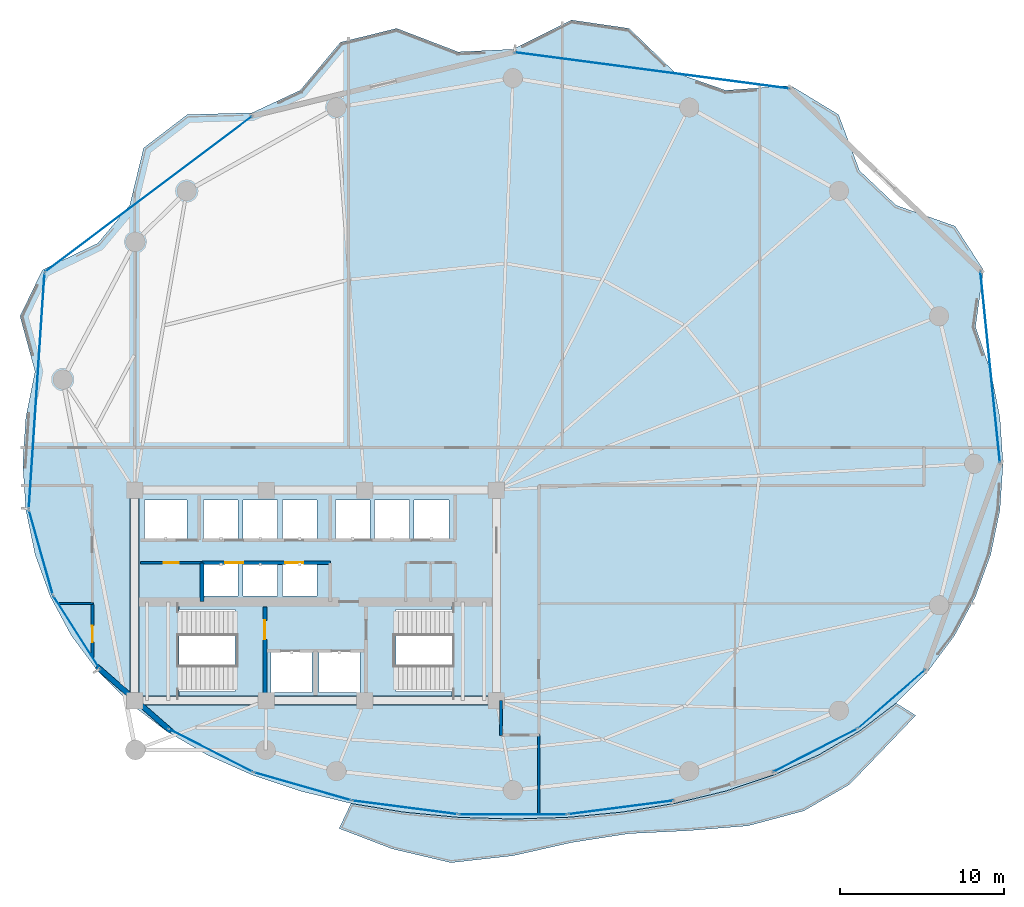
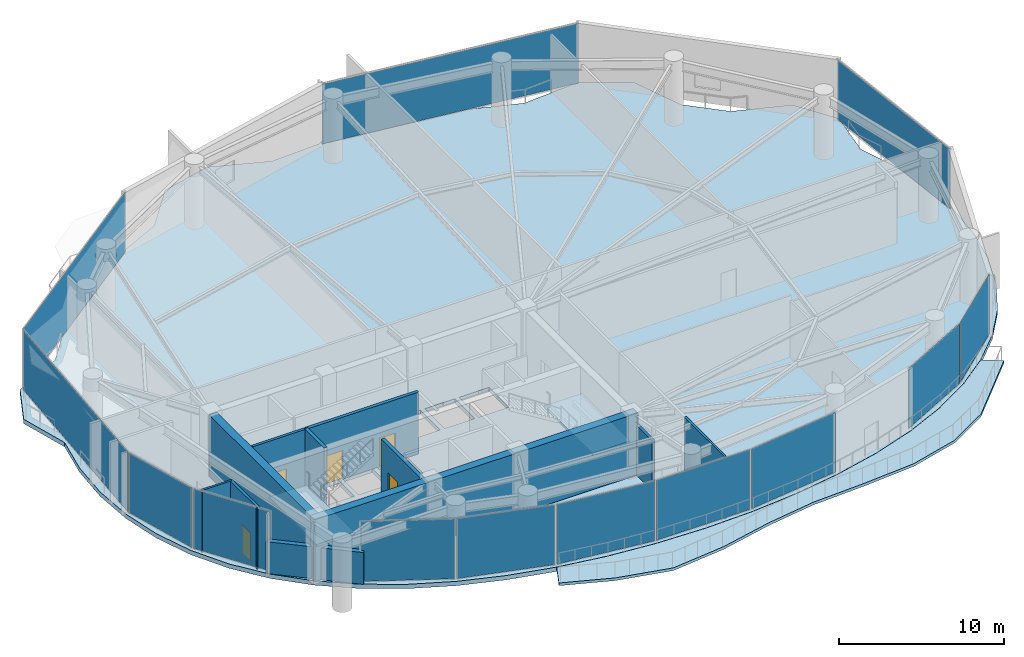
# One storey, part 24 of 30: 13 plates, 11 walls, 5 doors, 4 slabs, 5 openings, 15 elements without a shape of their own.
"""IFC4 building model written with IfcOpenShell, lengths in metres."""

from ifc_helpers import new_model, si_unit, direction, frame, frame_2d, origin, origin_2d, place, context, subcontext, project, spatial, polyline, rectangle, outline, extrude, material, layer, layer_set, type_object, element, fill, aggregate, save


model = new_model("IFC4")

# Units and contexts
model_context = context("Model", 3, precision=1e-05, world=origin(), true_north=direction((0.0, 1.0)))
body_context = subcontext(model_context, "Body", "Model", "MODEL_VIEW")
ifc_project = project(units=[si_unit("LENGTHUNIT", "METRE"), si_unit("AREAUNIT", "SQUARE_METRE"), si_unit("VOLUMEUNIT", "CUBIC_METRE"), si_unit("PLANEANGLEUNIT", "RADIAN"), si_unit("MASSUNIT", "GRAM", prefix="KILO")], contexts=[model_context])

# Site, building, storey
site_placement = place(None, origin())
site = spatial("IfcSite", under=ifc_project, at=site_placement, CompositionType="ELEMENT")
building_placement = place(site_placement, origin())
building = spatial("IfcBuilding", under=site, at=building_placement, Name="Kazevale Care Tower and Concert Hall", CompositionType="ELEMENT")
storey_placement = place(building_placement, frame((0.0, 0.0, 97.800048828125)))
storey = spatial("IfcBuildingStorey", under=building, at=storey_placement, Name="L25", CompositionType="ELEMENT", Elevation=97.800048828125)

# Curtain wall, plate
ifc_material_1 = material(Name="Aluminium 6063-T6 and Low-E Glass", Category="aluminium")
ifc_layer_1 = layer(ifc_material_1, 0.179931640625)
ifc_layer_set_1 = layer_set([ifc_layer_1], Name="Aluminium 6063-T6 and Low-E Glass")
curtain_wall_type_1 = type_object("IfcCurtainWallType", Name="Convex Recessed Sunroom Curtain Wall CW-3", PredefinedType="NOTDEFINED", material=ifc_layer_set_1)
curtain_wall_1_placement = place(storey_placement, origin())
curtain_wall_1 = element("IfcCurtainWall", 1, at=curtain_wall_1_placement, inside=storey, type_object=curtain_wall_type_1, Name="cw:L25:f14", PredefinedType="NOTDEFINED")
ifc_material_2 = material(Name="Low-E Laminated Glass", Category="glass")
ifc_layer_2 = layer(ifc_material_2, 0.028076171875)
ifc_layer_set_2 = layer_set([ifc_layer_2], Name="Low-E Laminated Glass")
plate_type_1 = type_object("IfcPlateType", Name="CW-3 Low-E Glazing Panel 28mm", PredefinedType="CURTAIN_PANEL", material=ifc_layer_set_2)
plate_1_placement = place(storey_placement, frame((22.8583984375, 54.402099609375, 0.0751953125), z_axis=(0.0, 0.0, 1.0), x_axis=(0.799400950952, 0.600797902474, 0.0)))
plate_1 = element("IfcPlate", 2, at=plate_1_placement, type_object=plate_type_1, Name="CW-3 panel 1.1", PredefinedType="CURTAIN_PANEL", context=body_context, shape_type="SweptSolid", body=[
    extrude(rectangle(XDim=15.685546875, YDim=0.028076171875, at=origin_2d()), origin(), (0.0, 0.0, 1.0), 4.409912109375),
])
aggregate(curtain_wall_1, [plate_1])

curtain_wall_2_placement = place(storey_placement, origin())
curtain_wall_2 = element("IfcCurtainWall", 3, at=curtain_wall_2_placement, inside=storey, type_object=curtain_wall_type_1, Name="cw:L25:f16", PredefinedType="NOTDEFINED")
plate_2_placement = place(storey_placement, frame((53.447509765625, 61.91357421875, 0.0751953125), z_axis=(0.0, 0.0, 1.0), x_axis=(0.991405823257, -0.130822374277, 0.0)))
plate_2 = element("IfcPlate", 4, at=plate_2_placement, type_object=plate_type_1, Name="CW-3 panel 1.1", PredefinedType="CURTAIN_PANEL", context=body_context, shape_type="SweptSolid", body=[
    extrude(rectangle(XDim=16.796630859375, YDim=0.028076171875, at=origin_2d()), origin(), (0.0, 0.0, 1.0), 4.409912109375),
])
aggregate(curtain_wall_2, [plate_2])

ifc_layer_3 = layer(ifc_material_1, 0.179931640625)
ifc_layer_set_3 = layer_set([ifc_layer_3], Name="Aluminium 6063-T6 and Low-E Glass")
curtain_wall_type_2 = type_object("IfcCurtainWallType", Name="Waist & Upper Residential Curtain Wall CW-4", PredefinedType="NOTDEFINED", material=ifc_layer_set_3)
curtain_wall_3_placement = place(storey_placement, origin())
curtain_wall_3 = element("IfcCurtainWall", 5, at=curtain_wall_3_placement, inside=storey, type_object=curtain_wall_type_2, Name="cw:L25:f11", PredefinedType="NOTDEFINED")
ifc_layer_4 = layer(ifc_material_2, 0.030029296875)
ifc_layer_set_4 = layer_set([ifc_layer_4], Name="Low-E Laminated Glass")
plate_type_2 = type_object("IfcPlateType", Name="CW-4 Low-E Glazing Panel 30mm", PredefinedType="CURTAIN_PANEL", material=ifc_layer_set_4)
plate_3_placement = place(storey_placement, frame((18.470458984375, 27.75244140625, 0.080078125), z_axis=(0.0, 0.0, 1.0), x_axis=(-0.537239193981, 0.843429930967, 0.0)))
plate_3 = element("IfcPlate", 6, at=plate_3_placement, type_object=plate_type_2, Name="CW-4 panel 1.1", PredefinedType="CURTAIN_PANEL", context=body_context, shape_type="SweptSolid", body=[
    extrude(rectangle(XDim=5.176513671875, YDim=0.030029296875, at=origin_2d()), origin(), (0.0, 0.0, 1.0), 4.39990234375),
])
aggregate(curtain_wall_3, [plate_3])

curtain_wall_4_placement = place(storey_placement, origin())
curtain_wall_4 = element("IfcCurtainWall", 7, at=curtain_wall_4_placement, inside=storey, type_object=curtain_wall_type_2, Name="cw:L25:f12", PredefinedType="NOTDEFINED")
plate_4_placement = place(storey_placement, frame((16.301513671875, 32.612548828125, 0.080078125), z_axis=(0.0, 0.0, 1.0), x_axis=(-0.271284948278, 0.962499078876, 0.0)))
plate_4 = element("IfcPlate", 8, at=plate_4_placement, type_object=plate_type_2, Name="CW-4 panel 1.1", PredefinedType="CURTAIN_PANEL", context=body_context, shape_type="SweptSolid", body=[
    extrude(rectangle(XDim=5.262451171875, YDim=0.030029296875, at=origin_2d()), origin(), (0.0, 0.0, 1.0), 4.39990234375),
])
aggregate(curtain_wall_4, [plate_4])

curtain_wall_5_placement = place(storey_placement, origin())
curtain_wall_5 = element("IfcCurtainWall", 9, at=curtain_wall_5_placement, inside=storey, type_object=curtain_wall_type_2, Name="cw:L25:f13", PredefinedType="NOTDEFINED")
plate_5_placement = place(storey_placement, frame((16.047607421875, 42.43359375, 0.080078125), z_axis=(0.0, 0.0, 1.0), x_axis=(0.06662002475, 0.997778418439, 0.0)))
plate_5 = element("IfcPlate", 10, at=plate_5_placement, type_object=plate_type_2, Name="CW-4 panel 1.1", PredefinedType="CURTAIN_PANEL", context=body_context, shape_type="SweptSolid", body=[
    extrude(rectangle(XDim=14.295166015625, YDim=0.030029296875, at=origin_2d()), origin(), (0.0, 0.0, 1.0), 4.39990234375),
])
aggregate(curtain_wall_5, [plate_5])

curtain_wall_6_placement = place(storey_placement, origin())
curtain_wall_6 = element("IfcCurtainWall", 11, at=curtain_wall_6_placement, inside=storey, type_object=curtain_wall_type_2, Name="cw:L25:f18", PredefinedType="NOTDEFINED")
plate_6_placement = place(storey_placement, frame((74.01904296875, 43.868896484375, 0.080078125), z_axis=(0.0, 0.0, 1.0), x_axis=(0.101869730126, -0.994797747326, 0.0)))
plate_6 = element("IfcPlate", 12, at=plate_6_placement, type_object=plate_type_2, Name="CW-4 panel 1.1", PredefinedType="CURTAIN_PANEL", context=body_context, shape_type="SweptSolid", body=[
    extrude(rectangle(XDim=11.639404296875, YDim=0.030029296875, at=origin_2d()), origin(), (0.0, 0.0, 1.0), 4.39990234375),
])
aggregate(curtain_wall_6, [plate_6])

ifc_layer_5 = layer(ifc_material_1, 0.179931640625)
ifc_layer_set_5 = layer_set([ifc_layer_5], Name="Aluminium 6063-T6 and Low-E Glass")
curtain_wall_type_3 = type_object("IfcCurtainWallType", Name="Sheltered Concave Balcony Curtain Wall CW-5", PredefinedType="NOTDEFINED", material=ifc_layer_set_5)
curtain_wall_7_placement = place(storey_placement, origin())
curtain_wall_7 = element("IfcCurtainWall", 13, at=curtain_wall_7_placement, inside=storey, type_object=curtain_wall_type_3, Name="cw:L25:f02", PredefinedType="NOTDEFINED")
ifc_layer_6 = layer(ifc_material_2, 0.02587890625)
ifc_layer_set_6 = layer_set([ifc_layer_6], Name="Low-E Laminated Glass")
plate_type_3 = type_object("IfcPlateType", Name="CW-5 Low-E Glazing Panel 26mm", PredefinedType="CURTAIN_PANEL", material=ifc_layer_set_6)
plate_7_placement = place(storey_placement, frame((68.033447265625, 23.699951171875, 0.0751953125), z_axis=(0.0, 0.0, 1.0), x_axis=(-0.753062779437, -0.657948668382, 0.0)))
plate_7 = element("IfcPlate", 14, at=plate_7_placement, type_object=plate_type_3, Name="CW-5 panel 1.1", PredefinedType="CURTAIN_PANEL", context=body_context, shape_type="SweptSolid", body=[
    extrude(rectangle(XDim=5.32763671875, YDim=0.02587890625, at=origin_2d()), origin(), (0.0, 0.0, 1.0), 4.409912109375),
])
aggregate(curtain_wall_7, [plate_7])

curtain_wall_8_placement = place(storey_placement, origin())
curtain_wall_8 = element("IfcCurtainWall", 15, at=curtain_wall_8_placement, inside=storey, type_object=curtain_wall_type_3, Name="cw:L25:f03", PredefinedType="NOTDEFINED")
plate_8_placement = place(storey_placement, frame((63.3798828125, 20.571533203125, 0.0751953125), z_axis=(0.0, 0.0, 1.0), x_axis=(-0.890126646051, -0.455713236575, 0.0)))
plate_8 = element("IfcPlate", 16, at=plate_8_placement, type_object=plate_type_3, Name="CW-5 panel 1.1", PredefinedType="CURTAIN_PANEL", context=body_context, shape_type="SweptSolid", body=[
    extrude(rectangle(XDim=5.671630859375, YDim=0.02587890625, at=origin_2d()), origin(), (0.0, 0.0, 1.0), 4.409912109375),
])
aggregate(curtain_wall_8, [plate_8])

curtain_wall_9_placement = place(storey_placement, origin())
curtain_wall_9 = element("IfcCurtainWall", 17, at=curtain_wall_9_placement, inside=storey, type_object=curtain_wall_type_3, Name="cw:L25:f05", PredefinedType="NOTDEFINED")
plate_9_placement = place(storey_placement, frame((51.5654296875, 17.1044921875, 0.0751953125), z_axis=(0.0, 0.0, 1.0), x_axis=(-0.991685519364, -0.12868500567, 0.0)))
plate_9 = element("IfcPlate", 18, at=plate_9_placement, type_object=plate_type_3, Name="CW-5 panel 1.1", PredefinedType="CURTAIN_PANEL", context=body_context, shape_type="SweptSolid", body=[
    extrude(rectangle(XDim=6.38525390625, YDim=0.02587890625, at=origin_2d()), origin(), (0.0, 0.0, 1.0), 4.409912109375),
])
aggregate(curtain_wall_9, [plate_9])

curtain_wall_10_placement = place(storey_placement, origin())
curtain_wall_10 = element("IfcCurtainWall", 19, at=curtain_wall_10_placement, inside=storey, type_object=curtain_wall_type_3, Name="cw:L25:f06", PredefinedType="NOTDEFINED")
plate_10_placement = place(storey_placement, frame((45.0, 16.68408203125, 0.0751953125), z_axis=(0.0, 0.0, 1.0), x_axis=(-1.0, 0.0, 0.0)))
plate_10 = element("IfcPlate", 20, at=plate_10_placement, type_object=plate_type_3, Name="CW-5 panel 1.1", PredefinedType="CURTAIN_PANEL", context=body_context, shape_type="SweptSolid", body=[
    extrude(rectangle(XDim=6.5, YDim=0.02587890625, at=origin_2d()), origin(), (0.0, 0.0, 1.0), 4.409912109375),
])
aggregate(curtain_wall_10, [plate_10])

curtain_wall_11_placement = place(storey_placement, origin())
curtain_wall_11 = element("IfcCurtainWall", 21, at=curtain_wall_11_placement, inside=storey, type_object=curtain_wall_type_3, Name="cw:L25:f07", PredefinedType="NOTDEFINED")
plate_11_placement = place(storey_placement, frame((38.4345703125, 17.1044921875, 0.0751953125), z_axis=(0.0, 0.0, 1.0), x_axis=(-0.991685519364, 0.12868500567, 0.0)))
plate_11 = element("IfcPlate", 22, at=plate_11_placement, type_object=plate_type_3, Name="CW-5 panel 1.1", PredefinedType="CURTAIN_PANEL", context=body_context, shape_type="SweptSolid", body=[
    extrude(rectangle(XDim=6.38525390625, YDim=0.02587890625, at=origin_2d()), origin(), (0.0, 0.0, 1.0), 4.409912109375),
])
aggregate(curtain_wall_11, [plate_11])

curtain_wall_12_placement = place(storey_placement, origin())
curtain_wall_12 = element("IfcCurtainWall", 23, at=curtain_wall_12_placement, inside=storey, type_object=curtain_wall_type_3, Name="cw:L25:f08", PredefinedType="NOTDEFINED")
plate_12_placement = place(storey_placement, frame((32.202392578125, 18.385009765625, 0.0751953125), z_axis=(0.0, 0.0, 1.0), x_axis=(-0.961074102639, 0.276290733172, 0.0)))
plate_12 = element("IfcPlate", 24, at=plate_12_placement, type_object=plate_type_3, Name="CW-5 panel 1.1", PredefinedType="CURTAIN_PANEL", context=body_context, shape_type="SweptSolid", body=[
    extrude(rectangle(XDim=6.075439453125, YDim=0.02587890625, at=origin_2d()), origin(), (0.0, 0.0, 1.0), 4.409912109375),
])
aggregate(curtain_wall_12, [plate_12])

curtain_wall_13_placement = place(storey_placement, origin())
curtain_wall_13 = element("IfcCurtainWall", 25, at=curtain_wall_13_placement, inside=storey, type_object=curtain_wall_type_3, Name="cw:L25:f09", PredefinedType="NOTDEFINED")
plate_13_placement = place(storey_placement, frame((26.6201171875, 20.571533203125, 0.0751953125), z_axis=(0.0, 0.0, 1.0), x_axis=(-0.890126646051, 0.455713236575, 0.0)))
plate_13 = element("IfcPlate", 26, at=plate_13_placement, type_object=plate_type_3, Name="CW-5 panel 1.1", PredefinedType="CURTAIN_PANEL", context=body_context, shape_type="SweptSolid", body=[
    extrude(rectangle(XDim=5.671630859375, YDim=0.02587890625, at=origin_2d()), origin(), (0.0, 0.0, 1.0), 4.409912109375),
])
aggregate(curtain_wall_13, [plate_13])

# Slab
ifc_material_3 = material(Name="Concrete C40", Category="concrete")
ifc_layer_7 = layer(ifc_material_3, 0.199951171875)
ifc_layer_set_7 = layer_set([ifc_layer_7], Name="Concrete C40")
slab_type_1 = type_object("IfcSlabType", Name="Sinusoidal Concave Balcony Slab 200", PredefinedType="USERDEFINED", material=ifc_layer_set_7)
slab_1_placement = place(storey_placement, frame((0.0, 0.0, -0.199951171875)))
element("IfcSlab", 27, at=slab_1_placement, inside=storey, type_object=slab_type_1, Name="slab:L25:bal", ObjectType="BALCONY", PredefinedType="USERDEFINED", context=body_context, shape_type="SweptSolid", body=[
    extrude(outline(polyline([(69.493896484375, 22.69970703125), (67.515380859375, 20.634521484375), (65.46337890625, 18.4970703125), (62.68408203125, 16.893798828125), (59.302001953125, 15.986083984375), (55.6328125, 15.689453125), (52.040771484375, 15.51025390625), (48.574462890625, 14.97119140625), (45.0, 14.16650390625), (41.235107421875, 13.74462890625), (37.668701171875, 14.58251953125), (34.431640625, 15.824951171875), (35.155517578125, 17.343505859375), (35.15673828125, 17.34326171875), (38.368408203125, 16.81396484375), (41.6630859375, 16.49951171875), (45.0, 16.39501953125), (48.3369140625, 16.49951171875), (51.631591796875, 16.81396484375), (54.84326171875, 17.34326171875), (57.93115234375, 18.09375), (60.8564453125, 19.07275390625), (63.582275390625, 20.28759765625), (66.07470703125, 21.74365234375), (68.302001953125, 23.442626953125), (68.302978515625, 23.44384765625), (69.493896484375, 22.69970703125)])), origin(), (0.0, 0.0, 1.0), 0.199951171875),
])

# Stair, slab
stair_type = type_object("IfcStairType", Name="Exit Stair Assembly ST1-S", PredefinedType="HALF_TURN_STAIR", material=ifc_material_3)
stair_1_placement = place(storey_placement, origin())
stair_1 = element("IfcStair", 28, at=stair_1_placement, inside=storey, type_object=stair_type, Name="stair:L25:ST1", PredefinedType="HALF_TURN_STAIR")
ifc_layer_8 = layer(ifc_material_3, 0.199951171875)
ifc_layer_set_8 = layer_set([ifc_layer_8], Name="Concrete C40")
slab_type_2 = type_object("IfcSlabType", Name="Stair Half-Landing Slab ST1-S", PredefinedType="LANDING", material=ifc_layer_set_8)
slab_2_placement = place(storey_placement, frame((0.0, 0.0, 2.199951171875)))
slab_2 = element("IfcSlab", 29, at=slab_2_placement, type_object=slab_type_2, Name="ST1-S landing 1", PredefinedType="LANDING", context=body_context, shape_type="SweptSolid", body=[
    extrude(outline(polyline([(22.050048828125, 23.699951171875), (24.68994140625, 23.699951171875), (24.68994140625, 29.5), (22.050048828125, 29.5), (22.050048828125, 23.699951171875)])), origin(), (0.0, 0.0, 1.0), 0.199951171875),
])
aggregate(stair_1, [slab_2])

stair_2_placement = place(storey_placement, origin())
stair_2 = element("IfcStair", 30, at=stair_2_placement, inside=storey, type_object=stair_type, Name="stair:L25:ST2", PredefinedType="HALF_TURN_STAIR")
slab_3_placement = place(storey_placement, frame((0.0, 0.0, 2.199951171875)))
slab_3 = element("IfcSlab", 31, at=slab_3_placement, type_object=slab_type_2, Name="ST1-S landing 1", PredefinedType="LANDING", context=body_context, shape_type="SweptSolid", body=[
    extrude(outline(polyline([(41.31005859375, 23.699951171875), (43.949951171875, 23.699951171875), (43.949951171875, 29.5), (41.31005859375, 29.5), (41.31005859375, 23.699951171875)])), origin(), (0.0, 0.0, 1.0), 0.199951171875),
])
aggregate(stair_2, [slab_3])

# Slab
ifc_material_4 = material(Name="Concrete C50", Category="concrete")
ifc_layer_9 = layer(ifc_material_4, 0.320068359375)
ifc_layer_set_9 = layer_set([ifc_layer_9], Name="Concrete C50")
slab_type_3 = type_object("IfcSlabType", Name="Transfer & Refuge Floor Slab 320", PredefinedType="FLOOR", material=ifc_layer_set_9)
slab_4_placement = place(storey_placement, frame((0.0, 0.0, -0.320068359375)))
element("IfcSlab", 32, at=slab_4_placement, inside=storey, type_object=slab_type_3, Name="slab:L25:tw:1", PredefinedType="FLOOR", context=body_context, shape_type="SweptSolid", body=[
    extrude(outline(polyline([(74.800048828125, 38.0), (74.612548828125, 40.821533203125), (74.052978515625, 43.607421875), (73.127685546875, 46.322998046875), (73.605712890625, 49.77978515625), (71.883544921875, 52.444580078125), (68.298583984375, 53.7119140625), (66.07177734375, 55.819091796875), (64.7958984375, 59.226806640625), (61.89208984375, 60.988525390625), (57.9296875, 60.704345703125), (54.84228515625, 61.785888671875), (52.06494140625, 64.46923828125), (48.554931640625, 64.979248046875), (45.0, 63.199951171875), (41.66357421875, 63.04150390625), (37.93505859375, 64.46923828125), (34.513671875, 63.62646484375), (32.0703125, 60.704345703125), (29.1455078125, 59.33740234375), (25.2041015625, 59.226806640625), (22.54931640625, 57.197998046875), (21.701416015625, 53.7119140625), (19.767578125, 51.4072265625), (16.394287109375, 49.77978515625), (15.03173828125, 46.967041015625), (15.947021484375, 43.607421875), (15.387451171875, 40.821533203125), (15.199951171875, 38.0), (15.387451171875, 35.197265625), (15.947021484375, 32.490234375), (16.872314453125, 29.92919921875), (18.151123046875, 27.551513671875), (19.767578125, 25.384521484375), (21.701416015625, 23.446533203125), (23.92822265625, 21.747802734375), (26.419921875, 20.2919921875), (29.1455078125, 19.077392578125), (32.0703125, 18.098388671875), (35.15771484375, 17.34814453125), (38.368896484375, 16.819091796875), (41.66357421875, 16.50439453125), (45.0, 16.39990234375), (48.33642578125, 16.50439453125), (51.631103515625, 16.819091796875), (54.84228515625, 17.34814453125), (57.9296875, 18.098388671875), (60.8544921875, 19.077392578125), (63.580078125, 20.2919921875), (66.07177734375, 21.747802734375), (68.298583984375, 23.446533203125), (70.232421875, 25.384521484375), (71.848876953125, 27.551513671875), (73.127685546875, 29.92919921875), (74.052978515625, 32.490234375), (74.612548828125, 35.197265625), (74.800048828125, 38.0)]), holes=[polyline([(22.449951171875, 24.14990234375), (28.110107421875, 24.14990234375), (28.110107421875, 29.14990234375), (22.449951171875, 29.14990234375), (22.449951171875, 24.14990234375)]), polyline([(37.889892578125, 24.14990234375), (43.550048828125, 24.14990234375), (43.550048828125, 29.14990234375), (37.889892578125, 29.14990234375), (37.889892578125, 24.14990234375)]), polyline([(30.300048828125, 24.10009765625), (32.800048828125, 24.10009765625), (32.800048828125, 26.60009765625), (30.300048828125, 26.60009765625), (30.300048828125, 24.10009765625)]), polyline([(33.199951171875, 24.10009765625), (35.699951171875, 24.10009765625), (35.699951171875, 26.60009765625), (33.199951171875, 26.60009765625), (33.199951171875, 24.10009765625)]), polyline([(22.60009765625, 33.39990234375), (25.199951171875, 33.39990234375), (25.199951171875, 35.800048828125), (22.60009765625, 35.800048828125), (22.60009765625, 33.39990234375)]), polyline([(26.199951171875, 33.39990234375), (28.300048828125, 33.39990234375), (28.300048828125, 35.800048828125), (26.199951171875, 35.800048828125), (26.199951171875, 33.39990234375)]), polyline([(28.60009765625, 33.39990234375), (30.699951171875, 33.39990234375), (30.699951171875, 35.800048828125), (28.60009765625, 35.800048828125), (28.60009765625, 33.39990234375)]), polyline([(31.0, 33.39990234375), (33.10009765625, 33.39990234375), (33.10009765625, 35.800048828125), (31.0, 35.800048828125), (31.0, 33.39990234375)]), polyline([(34.199951171875, 33.39990234375), (36.300048828125, 33.39990234375), (36.300048828125, 35.800048828125), (34.199951171875, 35.800048828125), (34.199951171875, 33.39990234375)]), polyline([(36.60009765625, 33.39990234375), (38.699951171875, 33.39990234375), (38.699951171875, 35.800048828125), (36.60009765625, 35.800048828125), (36.60009765625, 33.39990234375)]), polyline([(39.0, 33.39990234375), (41.10009765625, 33.39990234375), (41.10009765625, 35.800048828125), (39.0, 35.800048828125), (39.0, 33.39990234375)]), polyline([(26.199951171875, 29.949951171875), (28.300048828125, 29.949951171875), (28.300048828125, 31.949951171875), (26.199951171875, 31.949951171875), (26.199951171875, 29.949951171875)]), polyline([(28.60009765625, 29.949951171875), (30.699951171875, 29.949951171875), (30.699951171875, 31.949951171875), (28.60009765625, 31.949951171875), (28.60009765625, 29.949951171875)]), polyline([(31.0, 29.949951171875), (33.10009765625, 29.949951171875), (33.10009765625, 31.949951171875), (31.0, 31.949951171875), (31.0, 29.949951171875)])]), origin(), (0.0, 0.0, 1.0), 0.320068359375),
])

# Walls
ifc_material_5 = material(Name="Acoustic Gypsum on Steel Stud", Category="steel")
ifc_layer_10 = layer(ifc_material_5, 0.139892578125)
ifc_layer_set_10 = layer_set([ifc_layer_10], Name="Acoustic Gypsum on Steel Stud")
wall_type_1 = type_object("IfcWallType", Name="Acoustic Care & Suite Partition 140", PredefinedType="PARTITIONING", material=ifc_layer_set_10)
wall_1_placement = place(storey_placement, frame((46.574951171875, 16.694091796875, 0.0), z_axis=(0.0, 0.0, 1.0), x_axis=(0.0, 1.0, 0.0)))
element("IfcWall", 33, at=wall_1_placement, inside=storey, type_object=wall_type_1, Name="wall:L25:auto_022", PredefinedType="PARTITIONING", context=body_context, shape_type="SweptSolid", body=[
    extrude(rectangle(XDim=4.870849609375, YDim=0.139892578125, at=frame_2d((2.435546875, 0.0))), origin(), (0.0, 0.0, 1.0), 4.56005859375),
])
wall_2_placement = place(storey_placement, frame((19.455078125, 29.5, 0.0), z_axis=(0.0, 0.0, 1.0), x_axis=(-1.0, 0.0, 0.0)))
element("IfcWall", 34, at=wall_2_placement, inside=storey, type_object=wall_type_1, Name="wall:L25:auto_024", PredefinedType="PARTITIONING", context=body_context, shape_type="SweptSolid", body=[
    extrude(rectangle(XDim=2.087646484375, YDim=0.139892578125, at=frame_2d((1.0439453125, 0.0))), origin(), (0.0, 0.0, 1.0), 4.56005859375),
])
ifc_material_6 = material(Name="Concrete C60", Category="concrete")
ifc_layer_11 = layer(ifc_material_6, 0.550048828125)
ifc_layer_set_11 = layer_set([ifc_layer_11], Name="Concrete C60")
wall_type_2 = type_object("IfcWallType", Name="Core Shear Wall 550 C60", PredefinedType="SHEAR", material=ifc_layer_set_11)
wall_3_placement = place(storey_placement, frame((21.72509765625, 23.60009765625, 0.0), z_axis=(0.0, 0.0, 1.0), x_axis=(1.0, 0.0, 0.0)))
element("IfcWall", 35, at=wall_3_placement, inside=storey, type_object=wall_type_2, Name="wall:L25:core:S", PredefinedType="SHEAR", context=body_context, shape_type="SweptSolid", body=[
    extrude(rectangle(XDim=22.5498046875, YDim=0.550048828125, at=frame_2d((11.27490234375, 0.0))), origin(), (0.0, 0.0, 1.0), 4.56005859375),
])
wall_4_placement = place(storey_placement, frame((22.0, 23.875, 0.0), z_axis=(0.0, 0.0, 1.0), x_axis=(0.0, 1.0, 0.0)))
element("IfcWall", 36, at=wall_4_placement, inside=storey, type_object=wall_type_2, Name="wall:L25:core:W", PredefinedType="SHEAR", context=body_context, shape_type="SweptSolid", body=[
    extrude(rectangle(XDim=12.25, YDim=0.550048828125, at=frame_2d((6.125, 0.0))), origin(), (0.0, 0.0, 1.0), 4.56005859375),
])
ifc_layer_12 = layer(ifc_material_3, 0.219970703125)
ifc_layer_set_12 = layer_set([ifc_layer_12], Name="Concrete C40")
wall_type_3 = type_object("IfcWallType", Name="Elevator Hoistway Shaft Wall 220", PredefinedType="SOLIDWALL", material=ifc_layer_set_12)
wall_5_placement = place(storey_placement, frame((26.10009765625, 29.6201171875, 0.0), z_axis=(0.0, 0.0, 1.0), x_axis=(0.0, 1.0, 0.0)))
element("IfcWall", 37, at=wall_5_placement, inside=storey, type_object=wall_type_3, Name="wall:L25:c_ph_w", PredefinedType="SOLIDWALL", context=body_context, shape_type="SweptSolid", body=[
    extrude(rectangle(XDim=2.35986328125, YDim=0.219970703125, at=frame_2d((1.179931640625, 0.0))), origin(), (0.0, 0.0, 1.0), 4.56005859375),
])

# Wall, openings, doors
wall_6_placement = place(storey_placement, frame((26.10009765625, 31.97998046875, 0.0), z_axis=(0.0, 0.0, 1.0), x_axis=(1.0, 0.0, 0.0)))
wall_6 = element("IfcWall", 38, at=wall_6_placement, inside=storey, type_object=wall_type_3, Name="wall:L25:c_ph_n", PredefinedType="SOLIDWALL", context=body_context, shape_type="SweptSolid", body=[
    extrude(rectangle(XDim=7.7998046875, YDim=0.219970703125, at=frame_2d((3.89990234375, 0.0))), origin(), (0.0, 0.0, 1.0), 4.56005859375),
])
opening_1_placement = place(wall_6_placement, frame((1.39990234375, 0.0, 0.0)))
opening_1 = element("IfcOpeningElement", 39, at=opening_1_placement, cuts=wall_6, Name="Opening LD-PAX", PredefinedType="OPENING", context=body_context, shape_type="SweptSolid", body=[
    extrude(rectangle(XDim=1.10009765625, YDim=2.10009765625, at=frame_2d((0.550048828125, 1.050048828125))), frame((0.0, 0.119873046875, 0.0), z_axis=(0.0, -1.0, 0.0), x_axis=(1.0, 0.0, 0.0)), (0.0, 0.0, 1.0), 0.239990234375),
])
opening_2_placement = place(wall_6_placement, frame((5.06591796875, 0.0, 0.0)))
opening_2 = element("IfcOpeningElement", 40, at=opening_2_placement, cuts=wall_6, Name="Opening LD-PAX", PredefinedType="OPENING", context=body_context, shape_type="SweptSolid", body=[
    extrude(rectangle(XDim=1.10009765625, YDim=2.10009765625, at=frame_2d((0.550048828125, 1.050048828125))), frame((0.0, 0.119873046875, 0.0), z_axis=(0.0, -1.0, 0.0), x_axis=(1.0, 0.0, 0.0)), (0.0, 0.0, 1.0), 0.239990234375),
])
ifc_material_7 = material(Name="Stainless Steel 316", Category="steel")
door_type_1 = type_object("IfcDoorType", Name="Passenger Lift Sliding Landing Door 1100x2100", OperationType="NOTDEFINED", PredefinedType="DOOR", material=ifc_material_7)
door_1_placement = place(opening_1_placement, origin())
door_1 = element("IfcDoor", 41, at=door_1_placement, inside=storey, type_object=door_type_1, Name="door:L25:ld_ph1", OperationType="SLIDING_TO_LEFT", OverallHeight=2.10009765625, OverallWidth=1.10009765625, PredefinedType="DOOR", context=body_context, shape_type="SweptSolid", body=[
    extrude(rectangle(XDim=1.10009765625, YDim=2.10009765625, at=frame_2d((0.550048828125, 1.050048828125))), frame((0.0, 0.02490234375, 0.0), z_axis=(0.0, -1.0, 0.0), x_axis=(1.0, 0.0, 0.0)), (0.0, 0.0, 1.0), 0.050048828125),
])
fill(opening_1, door_1)
door_2_placement = place(opening_2_placement, origin())
door_2 = element("IfcDoor", 42, at=door_2_placement, inside=storey, type_object=door_type_1, Name="door:L25:ld_ph2", OperationType="SLIDING_TO_RIGHT", OverallHeight=2.10009765625, OverallWidth=1.10009765625, PredefinedType="DOOR", context=body_context, shape_type="SweptSolid", body=[
    extrude(rectangle(XDim=1.10009765625, YDim=2.10009765625, at=frame_2d((0.550048828125, 1.050048828125))), frame((0.0, 0.02490234375, 0.0), z_axis=(0.0, -1.0, 0.0), x_axis=(1.0, 0.0, 0.0)), (0.0, 0.0, 1.0), 0.050048828125),
])
fill(opening_2, door_2)

# Wall, opening, door
ifc_material_8 = material(Name="Concrete C40 and Acoustic Gypsum", Category="concrete")
ifc_layer_13 = layer(ifc_material_8, 0.179931640625)
ifc_layer_set_13 = layer_set([ifc_layer_13], Name="Concrete C40 and Acoustic Gypsum")
wall_type_4 = type_object("IfcWallType", Name="Fire-Rated Corridor & Party Wall 180", PredefinedType="PARTITIONING", material=ifc_layer_set_13)
wall_7_placement = place(storey_placement, frame((22.35009765625, 31.97998046875, 0.0), z_axis=(0.0, 0.0, 1.0), x_axis=(1.0, 0.0, 0.0)))
wall_7 = element("IfcWall", 43, at=wall_7_placement, inside=storey, type_object=wall_type_4, Name="wall:L25:ka_wn1", PredefinedType="PARTITIONING", context=body_context, shape_type="SweptSolid", body=[
    extrude(rectangle(XDim=3.75, YDim=0.179931640625, at=frame_2d((1.875, 0.0))), origin(), (0.0, 0.0, 1.0), 4.56005859375),
])
opening_3_placement = place(wall_7_placement, frame((1.425048828125, 0.0, 0.0)))
opening_3 = element("IfcOpeningElement", 44, at=opening_3_placement, cuts=wall_7, Name="Opening ID-900", PredefinedType="OPENING", context=body_context, shape_type="SweptSolid", body=[
    extrude(rectangle(XDim=0.919921875, YDim=2.10009765625, at=frame_2d((0.4599609375, 1.050048828125))), frame((0.0, 0.099853515625, 0.0), z_axis=(0.0, -1.0, 0.0), x_axis=(1.0, 0.0, 0.0)), (0.0, 0.0, 1.0), 0.199951171875),
])
ifc_material_9 = material(Name="Oak Timber Fire Leaf", Category="wood")
door_type_2 = type_object("IfcDoorType", Name="Bathroom & Service Door 920x2100", OperationType="NOTDEFINED", PredefinedType="DOOR", material=ifc_material_9)
door_3_placement = place(opening_3_placement, origin())
door_3 = element("IfcDoor", 45, at=door_3_placement, inside=storey, type_object=door_type_2, Name="door:L25:d_kaw", OperationType="SINGLE_SWING_LEFT", OverallHeight=2.10009765625, OverallWidth=0.919921875, PredefinedType="DOOR", context=body_context, shape_type="SweptSolid", body=[
    extrude(rectangle(XDim=0.919921875, YDim=2.10009765625, at=frame_2d((0.4599609375, 1.050048828125))), frame((0.0, 0.02490234375, 0.0), z_axis=(0.0, -1.0, 0.0), x_axis=(1.0, 0.0, 0.0)), (0.0, 0.0, 1.0), 0.050048828125),
])
fill(opening_3, door_3)

# Wall
wall_8_placement = place(storey_placement, frame((44.27490234375, 21.469970703125, 0.0), z_axis=(0.0, 0.0, 1.0), x_axis=(0.0, 1.0, 0.0)))
element("IfcWall", 46, at=wall_8_placement, inside=storey, type_object=wall_type_4, Name="wall:L25:auto_011", PredefinedType="PARTITIONING", context=body_context, shape_type="SweptSolid", body=[
    extrude(rectangle(XDim=2.1201171875, YDim=0.179931640625, at=frame_2d((1.06005859375, 0.0))), origin(), (0.0, 0.0, 1.0), 3.699951171875),
])

# Wall, opening, door
wall_9_placement = place(storey_placement, frame((19.445068359375, 26.232421875, 0.0), z_axis=(0.0, 0.0, 1.0), x_axis=(-0.006007217614, 0.999981956505, 0.0)))
wall_9 = element("IfcWall", 47, at=wall_9_placement, inside=storey, type_object=wall_type_4, Name="wall:L25:auto_014", PredefinedType="PARTITIONING", context=body_context, shape_type="SweptSolid", body=[
    extrude(rectangle(XDim=3.33251953125, YDim=0.179931640625, at=frame_2d((1.666259765625, 0.0))), origin(), (0.0, 0.0, 1.0), 4.56005859375),
])
opening_4_placement = place(wall_9_placement, frame((0.9189453125, 0.0, 0.0)))
opening_4 = element("IfcOpeningElement", 48, at=opening_4_placement, cuts=wall_9, Name="Opening ID-1000", PredefinedType="OPENING", context=body_context, shape_type="SweptSolid", body=[
    extrude(rectangle(XDim=1.0, YDim=2.10009765625, at=frame_2d((0.5, 1.050048828125))), frame((0.0, 0.099853515625, 0.0), z_axis=(0.0, -1.0, 0.0), x_axis=(1.0, 0.0, 0.0)), (0.0, 0.0, 1.0), 0.199951171875),
])
door_type_3 = type_object("IfcDoorType", Name="Suite & Room Door 1000x2100", OperationType="NOTDEFINED", PredefinedType="DOOR", material=ifc_material_9)
door_4_placement = place(opening_4_placement, origin())
door_4 = element("IfcDoor", 49, at=door_4_placement, inside=storey, type_object=door_type_3, Name="door:L25:ad_014", OperationType="SINGLE_SWING_LEFT", OverallHeight=2.10009765625, OverallWidth=1.0, PredefinedType="DOOR", context=body_context, shape_type="SweptSolid", body=[
    extrude(rectangle(XDim=1.0, YDim=2.10009765625, at=frame_2d((0.5, 1.050048828125))), frame((0.0, 0.02490234375, 0.0), z_axis=(0.0, -1.0, 0.0), x_axis=(1.0, 0.0, 0.0)), (0.0, 0.0, 1.0), 0.050048828125),
])
fill(opening_4, door_4)

ifc_layer_14 = layer(ifc_material_3, 0.25)
ifc_layer_set_14 = layer_set([ifc_layer_14], Name="Concrete C40")
wall_type_5 = type_object("IfcWallType", Name="Pressurized Stair Shaft Wall 250", PredefinedType="SOLIDWALL", material=ifc_layer_set_14)
wall_10_placement = place(storey_placement, frame((29.919921875, 23.89990234375, 0.0), z_axis=(0.0, 0.0, 1.0), x_axis=(0.0, 1.0, 0.0)))
wall_10 = element("IfcWall", 50, at=wall_10_placement, inside=storey, type_object=wall_type_5, Name="wall:L25:c_st1_e", PredefinedType="SOLIDWALL", context=body_context, shape_type="SweptSolid", body=[
    extrude(rectangle(XDim=5.400146484375, YDim=0.25, at=frame_2d((2.7001953125, 0.0))), origin(), (0.0, 0.0, 1.0), 4.08984375),
])
opening_5_placement = place(wall_10_placement, frame((3.4208984375, 0.0, 0.0)))
opening_5 = element("IfcOpeningElement", 51, at=opening_5_placement, cuts=wall_10, Name="Opening FD-90", PredefinedType="OPENING", context=body_context, shape_type="SweptSolid", body=[
    extrude(rectangle(XDim=1.14990234375, YDim=2.10009765625, at=frame_2d((0.574951171875, 1.050048828125))), frame((0.0, 0.135009765625, 0.0), z_axis=(0.0, -1.0, 0.0), x_axis=(1.0, 0.0, 0.0)), (0.0, 0.0, 1.0), 0.27001953125),
])
ifc_material_10 = material(Name="Steel ASTM A572 Gr 50", Category="steel")
door_type_4 = type_object("IfcDoorType", Name="Pressurized Stair & Lobby Fire Door 1150x2100", OperationType="NOTDEFINED", PredefinedType="DOOR", material=ifc_material_10)
door_5_placement = place(opening_5_placement, origin())
door_5 = element("IfcDoor", 52, at=door_5_placement, inside=storey, type_object=door_type_4, Name="door:L25:st1", OperationType="SINGLE_SWING_RIGHT", OverallHeight=2.10009765625, OverallWidth=1.14990234375, PredefinedType="DOOR", context=body_context, shape_type="SweptSolid", body=[
    extrude(rectangle(XDim=1.14990234375, YDim=2.10009765625, at=frame_2d((0.574951171875, 1.050048828125))), frame((0.0, 0.02490234375, 0.0), z_axis=(0.0, -1.0, 0.0), x_axis=(1.0, 0.0, 0.0)), (0.0, 0.0, 1.0), 0.050048828125),
])
fill(opening_5, door_5)

# Wall
ifc_material_11 = material(Name="Concrete C40 with Honed Limestone Cladding", Category="masonry")
ifc_layer_15 = layer(ifc_material_11, 0.320068359375)
ifc_layer_set_15 = layer_set([ifc_layer_15], Name="Concrete C40 with Honed Limestone Cladding")
wall_type_6 = type_object("IfcWallType", Name="Tower Honed Limestone Spandrel Wall 320", PredefinedType="STANDARD", material=ifc_layer_set_15)
wall_11_placement = place(storey_placement, frame((24.22509765625, 21.72705078125, 0.0), z_axis=(0.0, 0.0, 1.0), x_axis=(-0.753105964003, 0.657899237713, 0.0)))
element("IfcWall", 53, at=wall_11_placement, inside=storey, type_object=wall_type_6, Name="wall:cw:L25:f10", PredefinedType="STANDARD", context=body_context, shape_type="SweptSolid", body=[
    extrude(rectangle(XDim=5.998046875, YDim=0.320068359375, at=frame_2d((2.9990234375, 0.0))), origin(), (0.0, 0.0, 1.0), 2.349853515625),
])

save(model, "model.ifc")
